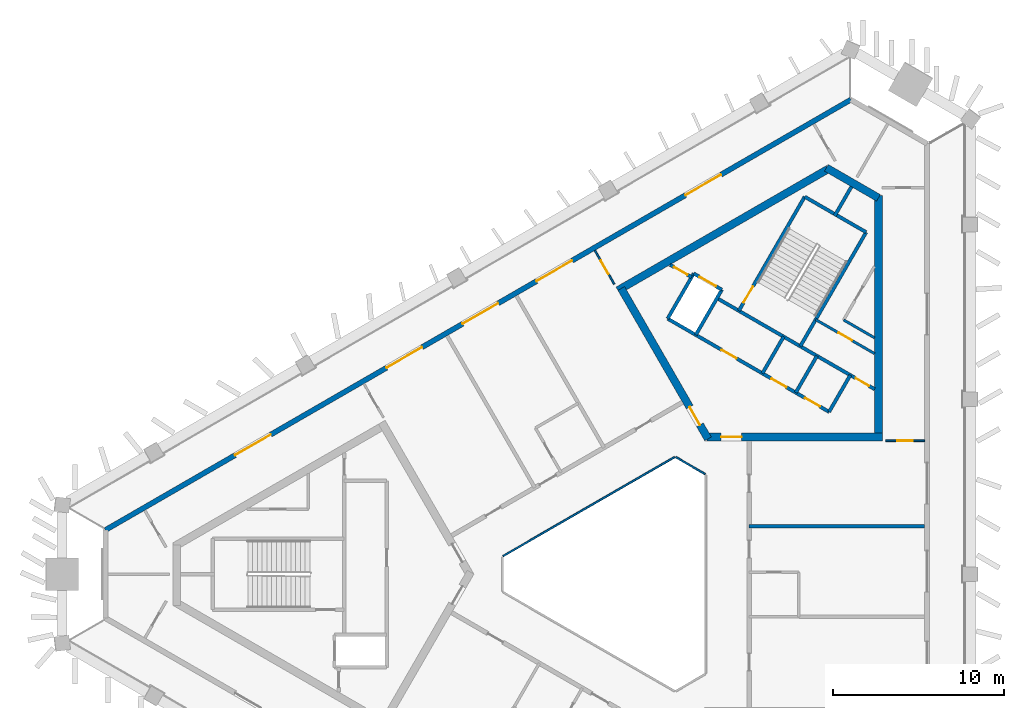
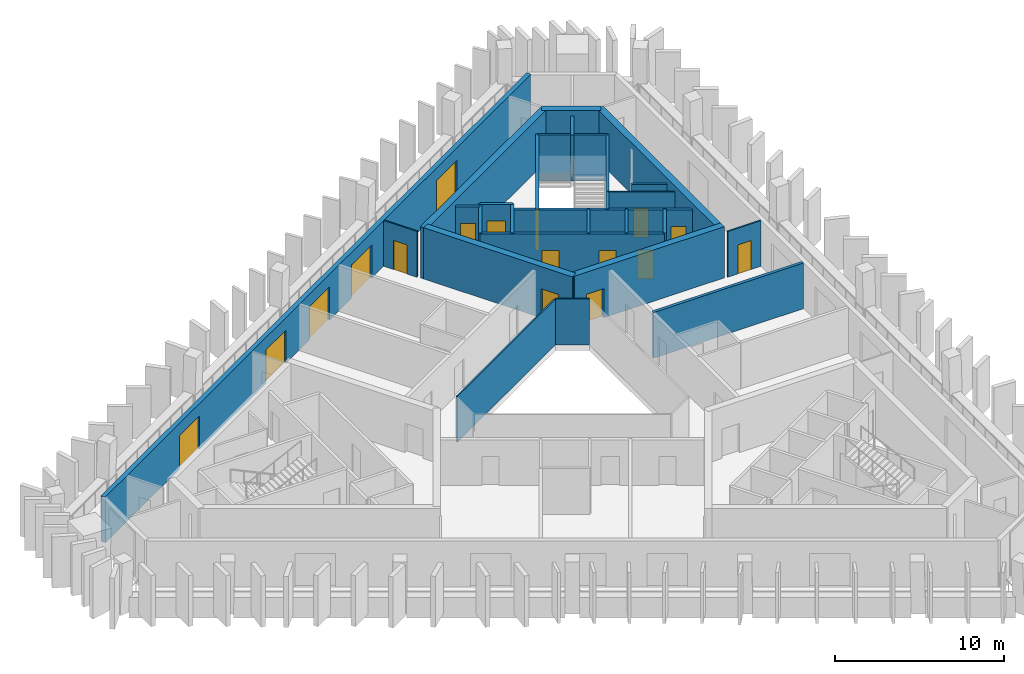
# One storey, part 5 of 9: 26 walls, 17 doors, 17 openings.
"""IFC4 building model written with IfcOpenShell, lengths in metres."""

from ifc_helpers import new_model, si_unit, direction, frame, frame_2d, origin, place, context, subcontext, project, spatial, rectangle, extrude, material, layer, layer_set, type_object, element, fill, save


model = new_model("IFC4")

# Units and contexts
model_context = context("Model", 3, precision=1e-05, world=origin(), true_north=direction((0.0, 1.0)))
body_context = subcontext(model_context, "Body", "Model", "MODEL_VIEW")
ifc_project = project(units=[si_unit("LENGTHUNIT", "METRE"), si_unit("AREAUNIT", "SQUARE_METRE"), si_unit("VOLUMEUNIT", "CUBIC_METRE"), si_unit("PLANEANGLEUNIT", "RADIAN"), si_unit("MASSUNIT", "GRAM", prefix="KILO")], contexts=[model_context])

# Site, building, storey
site_placement = place(None, origin())
site = spatial("IfcSite", under=ifc_project, at=site_placement, CompositionType="ELEMENT")
building_placement = place(site_placement, origin())
building = spatial("IfcBuilding", under=site, at=building_placement, Name="Jabali Bay Hotel Tower and Convention Centre", CompositionType="ELEMENT")
storey_placement = place(building_placement, frame((0.0, 0.0, 228.0)))
storey = spatial("IfcBuildingStorey", under=building, at=storey_placement, Name="L56", CompositionType="ELEMENT", Elevation=228.0)

# Walls
ifc_material_1 = material(Name="Fire-resistant glazing", Category="glass")
ifc_layer_1 = layer(ifc_material_1, 0.10009765625)
ifc_layer_set_1 = layer_set([ifc_layer_1], Name="Fire-resistant glazing")
wall_type_1 = type_object("IfcWallType", Name="Atrium glazed screen 100", PredefinedType="PARTITIONING", material=ifc_layer_set_1)
wall_1_placement = place(storey_placement, frame((79.530029296875, 85.84619140625, 0.0), z_axis=(0.0, 0.0, 1.0), x_axis=(-0.866041268327, 0.499972520799, 0.0)))
element("IfcWall", 1, at=wall_1_placement, inside=storey, type_object=wall_type_1, Name="Atrium screen 2 L56", PredefinedType="PARTITIONING", context=body_context, shape_type="SweptSolid", body=[
    extrude(rectangle(XDim=2.0, YDim=0.10009765625, at=frame_2d((1.0, 0.0))), origin(), (0.0, 0.0, 1.0), 3.300048828125),
])
wall_2_placement = place(storey_placement, frame((77.738037109375, 86.84619140625, 0.0), z_axis=(0.0, 0.0, 1.0), x_axis=(-0.866026658274, -0.499997827154, 0.0)))
element("IfcWall", 2, at=wall_2_placement, inside=storey, type_object=wall_type_1, Name="Atrium screen 3 L56", PredefinedType="PARTITIONING", context=body_context, shape_type="SweptSolid", body=[
    extrude(rectangle(XDim=11.58837890625, YDim=0.10009765625, at=frame_2d((5.794189453125, 0.0))), origin(), (0.0, 0.0, 1.0), 3.300048828125),
])
ifc_material_2 = material(Name="Concrete C40", Category="concrete")
ifc_layer_2 = layer(ifc_material_2, 0.199951171875)
ifc_layer_set_2 = layer_set([ifc_layer_2], Name="Concrete C40")
wall_type_2 = type_object("IfcWallType", Name="Core partition wall 200", PredefinedType="PARTITIONING", material=ifc_layer_set_2)
wall_3_placement = place(storey_placement, frame((87.090087890625, 100.9404296875, 0.0), z_axis=(0.0, 0.0, 1.0), x_axis=(0.500011643316, 0.866018681408, 0.0)))
element("IfcWall", 3, at=wall_3_placement, inside=storey, type_object=wall_type_2, Name="Core wall 1.5 L56", PredefinedType="PARTITIONING", context=body_context, shape_type="SweptSolid", body=[
    extrude(rectangle(XDim=1.97314453125, YDim=0.199951171875, at=frame_2d((0.986572265625, 0.0))), origin(), (0.0, 0.0, 1.0), 3.300048828125),
])

# Wall, opening, door
wall_4_placement = place(storey_placement, frame((78.730224609375, 97.36083984375, 0.0), z_axis=(0.0, 0.0, 1.0), x_axis=(-0.866045896294, 0.499964504253, 0.0)))
wall_4 = element("IfcWall", 4, at=wall_4_placement, inside=storey, type_object=wall_type_2, Name="Core wall 1.11 L56", PredefinedType="PARTITIONING", context=body_context, shape_type="SweptSolid", body=[
    extrude(rectangle(XDim=1.455078125, YDim=0.199951171875, at=frame_2d((0.7275390625, 0.0))), origin(), (0.0, 0.0, 1.0), 3.300048828125),
])
opening_1_placement = place(wall_4_placement, frame((0.277587890625, 0.0, 0.0)))
opening_1 = element("IfcOpeningElement", 5, at=opening_1_placement, cuts=wall_4, Name="Opening D1223", PredefinedType="OPENING", context=body_context, shape_type="SweptSolid", body=[
    extrude(rectangle(XDim=0.89990234375, YDim=2.10009765625, at=frame_2d((0.449951171875, 1.050048828125))), frame((0.0, 0.1103515625, 0.0), z_axis=(0.0, -1.0, 0.0), x_axis=(1.0, 0.0, 0.0)), (0.0, 0.0, 1.0), 0.220947265625),
])
ifc_material_3 = material(Name="Fire-rated steel door", Category="steel")
door_type_1 = type_object("IfcDoorType", Name="Vestibule fire door 900 x 2100", OperationType="NOTDEFINED", PredefinedType="NOTDEFINED", material=ifc_material_3)
door_1_placement = place(opening_1_placement, origin())
door_1 = element("IfcDoor", 6, at=door_1_placement, inside=storey, type_object=door_type_1, Name="Vestibule fire door D1223", OperationType="SINGLE_SWING_LEFT", OverallHeight=2.10009765625, OverallWidth=0.89990234375, PredefinedType="NOTDEFINED", context=body_context, shape_type="SweptSolid", body=[
    extrude(rectangle(XDim=0.89990234375, YDim=2.10009765625, at=frame_2d((0.449951171875, 1.050048828125))), frame((0.0, 0.02490234375, 0.0), z_axis=(0.0, -1.0, 0.0), x_axis=(1.0, 0.0, 0.0)), (0.0, 0.0, 1.0), 0.050048828125),
])
fill(opening_1, door_1)

ifc_material_4 = material(Name="Fire-rated board partition")
ifc_layer_3 = layer(ifc_material_4, 0.14990234375)
ifc_layer_set_3 = layer_set([ifc_layer_3], Name="Fire-rated board partition")
wall_type_3 = type_object("IfcWallType", Name="Core room partition 150", PredefinedType="PARTITIONING", material=ifc_layer_set_3)
wall_5_placement = place(storey_placement, frame((89.429931640625, 92.892333984375, 0.0), z_axis=(0.0, 0.0, 1.0), x_axis=(-0.866019912421, 0.500009511199, 0.0)))
wall_5 = element("IfcWall", 7, at=wall_5_placement, inside=storey, type_object=wall_type_3, Name="Core wall 1.13 L56", PredefinedType="PARTITIONING", context=body_context, shape_type="SweptSolid", body=[
    extrude(rectangle(XDim=3.9755859375, YDim=0.14990234375, at=frame_2d((1.98779296875, 0.0))), origin(), (0.0, 0.0, 1.0), 3.300048828125),
])
opening_2_placement = place(wall_5_placement, frame((1.537841796875, 0.0, 0.0)))
opening_2 = element("IfcOpeningElement", 8, at=opening_2_placement, cuts=wall_5, Name="Opening D1222", PredefinedType="OPENING", context=body_context, shape_type="SweptSolid", body=[
    extrude(rectangle(XDim=0.89990234375, YDim=2.10009765625, at=frame_2d((0.449951171875, 1.050048828125))), frame((0.0, 0.08544921875, 0.0), z_axis=(0.0, -1.0, 0.0), x_axis=(1.0, 0.0, 0.0)), (0.0, 0.0, 1.0), 0.1708984375),
])
door_type_2 = type_object("IfcDoorType", Name="Core room door 900 x 2100", OperationType="NOTDEFINED", PredefinedType="NOTDEFINED", material=ifc_material_3)
door_2_placement = place(opening_2_placement, origin())
door_2 = element("IfcDoor", 9, at=door_2_placement, inside=storey, type_object=door_type_2, Name="Core room door D1222", OperationType="SINGLE_SWING_RIGHT", OverallHeight=2.10009765625, OverallWidth=0.89990234375, PredefinedType="NOTDEFINED", context=body_context, shape_type="SweptSolid", body=[
    extrude(rectangle(XDim=0.89990234375, YDim=2.10009765625, at=frame_2d((0.449951171875, 1.050048828125))), frame((0.0, 0.02490234375, 0.0), z_axis=(0.0, -1.0, 0.0), x_axis=(1.0, 0.0, 0.0)), (0.0, 0.0, 1.0), 0.050048828125),
])
fill(opening_2, door_2)

# Walls
wall_6_placement = place(storey_placement, frame((89.429931640625, 93.81591796875, 0.0), z_axis=(0.0, 0.0, 1.0), x_axis=(-0.866004557827, 0.500036104519, 0.0)))
element("IfcWall", 10, at=wall_6_placement, inside=storey, type_object=wall_type_3, Name="Core wall 1.14 L56", PredefinedType="PARTITIONING", context=body_context, shape_type="SweptSolid", body=[
    extrude(rectangle(XDim=2.088623046875, YDim=0.14990234375, at=frame_2d((1.04443359375, 0.0))), origin(), (0.0, 0.0, 1.0), 3.300048828125),
])
ifc_layer_4 = layer(ifc_material_2, 0.199951171875)
ifc_layer_set_4 = layer_set([ifc_layer_4], Name="Concrete C40")
wall_type_4 = type_object("IfcWallType", Name="Core stair wall 200", PredefinedType="SOLIDWALL", material=ifc_layer_set_4)
for number, where, z_axis, x_axis, name in (
    (11, (86.769775390625, 89.48583984375, 0.0), (0.0, 0.0, 1.0), (0.499961042966, 0.86604789447, 0.0), "Core wall 1.0 L56"),
    (12, (84.8212890625, 90.61083984375, 0.0), (0.0, 0.0, 1.0), (0.499961042966, 0.86604789447, 0.0), "Core wall 1.2 L56"),
):
    element("IfcWall", number, at=place(storey_placement, frame(where, z_axis=z_axis, x_axis=x_axis)), inside=storey, type_object=wall_type_4, Name=name, PredefinedType="SOLIDWALL", context=body_context, shape_type="SweptSolid", body=[
        extrude(rectangle(XDim=2.480224609375, YDim=0.199951171875, at=frame_2d((1.240234375, 0.0))), origin(), (0.0, 0.0, 1.0), 3.300048828125),
    ])
wall_7_placement = place(storey_placement, frame((85.0869140625, 93.3212890625, 0.0), z_axis=(0.0, 0.0, 1.0), x_axis=(0.500019787375, 0.866013979237, 0.0)))
element("IfcWall", 13, at=wall_7_placement, inside=storey, type_object=wall_type_4, Name="Core wall 1.3 L56", PredefinedType="SOLIDWALL", context=body_context, shape_type="SweptSolid", body=[
    extrude(rectangle(XDim=7.699951171875, YDim=0.199951171875, at=frame_2d((3.85009765625, 0.0))), origin(), (0.0, 0.0, 1.0), 3.300048828125),
])
wall_8_placement = place(storey_placement, frame((82.872802734375, 91.73583984375, 0.0), z_axis=(0.0, 0.0, 1.0), x_axis=(0.499961042966, 0.86604789447, 0.0)))
element("IfcWall", 14, at=wall_8_placement, inside=storey, type_object=wall_type_4, Name="Core wall 1.4 L56", PredefinedType="SOLIDWALL", context=body_context, shape_type="SweptSolid", body=[
    extrude(rectangle(XDim=2.480224609375, YDim=0.199951171875, at=frame_2d((1.240234375, 0.0))), origin(), (0.0, 0.0, 1.0), 3.300048828125),
])

# Wall, opening, door
wall_9_placement = place(storey_placement, frame((81.492919921875, 95.396240234375, 0.0), z_axis=(0.0, 0.0, 1.0), x_axis=(0.500006057782, 0.866021906294, 0.0)))
wall_9 = element("IfcWall", 15, at=wall_9_placement, inside=storey, type_object=wall_type_4, Name="Core wall 1.6 L56", PredefinedType="SOLIDWALL", context=body_context, shape_type="SweptSolid", body=[
    extrude(rectangle(XDim=7.7001953125, YDim=0.199951171875, at=frame_2d((3.85009765625, 0.0))), origin(), (0.0, 0.0, 1.0), 3.300048828125),
])
opening_3_placement = place(wall_9_placement, frame((0.550048828125, 0.0, 0.0)))
opening_3 = element("IfcOpeningElement", 16, at=opening_3_placement, cuts=wall_9, Name="Opening D1225", PredefinedType="OPENING", context=body_context, shape_type="SweptSolid", body=[
    extrude(rectangle(XDim=1.10009765625, YDim=2.10009765625, at=frame_2d((0.550048828125, 1.050048828125))), frame((0.0, 0.1103515625, 0.0), z_axis=(0.0, -1.0, 0.0), x_axis=(1.0, 0.0, 0.0)), (0.0, 0.0, 1.0), 0.220947265625),
])
door_type_3 = type_object("IfcDoorType", Name="Stair fire door 1100 x 2100", OperationType="NOTDEFINED", PredefinedType="NOTDEFINED", material=ifc_material_3)
door_3_placement = place(opening_3_placement, origin())
door_3 = element("IfcDoor", 17, at=door_3_placement, inside=storey, type_object=door_type_3, Name="Stair fire door D1225", OperationType="SINGLE_SWING_RIGHT", OverallHeight=2.10009765625, OverallWidth=1.10009765625, PredefinedType="NOTDEFINED", context=body_context, shape_type="SweptSolid", body=[
    extrude(rectangle(XDim=1.10009765625, YDim=2.10009765625, at=frame_2d((0.550048828125, 1.050048828125))), frame((0.0, 0.02490234375, 0.0), z_axis=(0.0, -1.0, 0.0), x_axis=(1.0, 0.0, 0.0)), (0.0, 0.0, 1.0), 0.050048828125),
])
fill(opening_3, door_3)

# Walls
for number, where, z_axis, x_axis, name in (
    (18, (78.9755859375, 93.98583984375, 0.0), (0.0, 0.0, 1.0), (0.499944174705, 0.866057632134, 0.0), "Core wall 1.7 L56"),
    (19, (77.330078125, 94.93603515625, 0.0), (0.0, 0.0, 1.0), (0.500038867431, 0.8660029625, 0.0), "Core wall 1.8 L56"),
):
    element("IfcWall", number, at=place(storey_placement, frame(where, z_axis=z_axis, x_axis=x_axis)), inside=storey, type_object=wall_type_4, Name=name, PredefinedType="SOLIDWALL", context=body_context, shape_type="SweptSolid", body=[
        extrude(rectangle(XDim=3.050048828125, YDim=0.199951171875, at=frame_2d((1.52490234375, 0.0))), origin(), (0.0, 0.0, 1.0), 3.300048828125),
    ])

# Wall, openings, doors
wall_10_placement = place(storey_placement, frame((86.769775390625, 89.48583984375, 0.0), z_axis=(0.0, 0.0, 1.0), x_axis=(-0.86601811187, 0.500012629753, 0.0)))
wall_10 = element("IfcWall", 20, at=wall_10_placement, inside=storey, type_object=wall_type_4, Name="Core wall 1.9 L56", PredefinedType="SOLIDWALL", context=body_context, shape_type="SweptSolid", body=[
    extrude(rectangle(XDim=10.900146484375, YDim=0.199951171875, at=frame_2d((5.4501953125, 0.0))), origin(), (0.0, 0.0, 1.0), 3.300048828125),
])
opening_4_placement = place(wall_10_placement, frame((0.625, 0.0, 0.0)))
opening_4 = element("IfcOpeningElement", 21, at=opening_4_placement, cuts=wall_10, Name="Opening D1219", PredefinedType="OPENING", context=body_context, shape_type="SweptSolid", body=[
    extrude(rectangle(XDim=1.0, YDim=2.10009765625, at=frame_2d((0.5, 1.050048828125))), frame((0.0, 0.1103515625, 0.0), z_axis=(0.0, -1.0, 0.0), x_axis=(1.0, 0.0, 0.0)), (0.0, 0.0, 1.0), 0.220947265625),
])
opening_5_placement = place(wall_10_placement, frame((2.875, 0.0, 0.0)))
opening_5 = element("IfcOpeningElement", 22, at=opening_5_placement, cuts=wall_10, Name="Opening D1220", PredefinedType="OPENING", context=body_context, shape_type="SweptSolid", body=[
    extrude(rectangle(XDim=1.0, YDim=2.10009765625, at=frame_2d((0.5, 1.050048828125))), frame((0.0, 0.1103515625, 0.0), z_axis=(0.0, -1.0, 0.0), x_axis=(1.0, 0.0, 0.0)), (0.0, 0.0, 1.0), 0.220947265625),
])
opening_6_placement = place(wall_10_placement, frame((6.25, 0.0, 0.0)))
opening_6 = element("IfcOpeningElement", 23, at=opening_6_placement, cuts=wall_10, Name="Opening D1221", PredefinedType="OPENING", context=body_context, shape_type="SweptSolid", body=[
    extrude(rectangle(XDim=1.0, YDim=2.10009765625, at=frame_2d((0.5, 1.050048828125))), frame((0.0, 0.1103515625, 0.0), z_axis=(0.0, -1.0, 0.0), x_axis=(1.0, 0.0, 0.0)), (0.0, 0.0, 1.0), 0.220947265625),
])
door_type_4 = type_object("IfcDoorType", Name="Core room door 1000 x 2100", OperationType="NOTDEFINED", PredefinedType="NOTDEFINED", material=ifc_material_3)
door_4_placement = place(opening_4_placement, origin())
door_4 = element("IfcDoor", 24, at=door_4_placement, inside=storey, type_object=door_type_4, Name="Core room door D1219", OperationType="SINGLE_SWING_RIGHT", OverallHeight=2.10009765625, OverallWidth=1.0, PredefinedType="NOTDEFINED", context=body_context, shape_type="SweptSolid", body=[
    extrude(rectangle(XDim=1.0, YDim=2.10009765625, at=frame_2d((0.5, 1.050048828125))), frame((0.0, 0.02490234375, 0.0), z_axis=(0.0, -1.0, 0.0), x_axis=(1.0, 0.0, 0.0)), (0.0, 0.0, 1.0), 0.050048828125),
])
fill(opening_4, door_4)
door_5_placement = place(opening_5_placement, origin())
door_5 = element("IfcDoor", 25, at=door_5_placement, inside=storey, type_object=door_type_4, Name="Core room door D1220", OperationType="SINGLE_SWING_RIGHT", OverallHeight=2.10009765625, OverallWidth=1.0, PredefinedType="NOTDEFINED", context=body_context, shape_type="SweptSolid", body=[
    extrude(rectangle(XDim=1.0, YDim=2.10009765625, at=frame_2d((0.5, 1.050048828125))), frame((0.0, 0.02490234375, 0.0), z_axis=(0.0, -1.0, 0.0), x_axis=(1.0, 0.0, 0.0)), (0.0, 0.0, 1.0), 0.050048828125),
])
fill(opening_5, door_5)
door_6_placement = place(opening_6_placement, origin())
door_6 = element("IfcDoor", 26, at=door_6_placement, inside=storey, type_object=door_type_4, Name="Core room door D1221", OperationType="SINGLE_SWING_RIGHT", OverallHeight=2.10009765625, OverallWidth=1.0, PredefinedType="NOTDEFINED", context=body_context, shape_type="SweptSolid", body=[
    extrude(rectangle(XDim=1.0, YDim=2.10009765625, at=frame_2d((0.5, 1.050048828125))), frame((0.0, 0.02490234375, 0.0), z_axis=(0.0, -1.0, 0.0), x_axis=(1.0, 0.0, 0.0)), (0.0, 0.0, 1.0), 0.050048828125),
])
fill(opening_6, door_6)

# Wall, opening, door
wall_11_placement = place(storey_placement, frame((89.429931640625, 90.813720703125, 0.0), z_axis=(0.0, 0.0, 1.0), x_axis=(-0.866018983788, 0.500011119594, 0.0)))
wall_11 = element("IfcWall", 27, at=wall_11_placement, inside=storey, type_object=wall_type_4, Name="Core wall 1.10 L56", PredefinedType="SOLIDWALL", context=body_context, shape_type="SweptSolid", body=[
    extrude(rectangle(XDim=10.639892578125, YDim=0.199951171875, at=frame_2d((5.31982421875, 0.0))), origin(), (0.0, 0.0, 1.0), 3.300048828125),
])
opening_7_placement = place(wall_11_placement, frame((0.369873046875, 0.0, 0.0)))
opening_7 = element("IfcOpeningElement", 28, at=opening_7_placement, cuts=wall_11, Name="Opening D1224", PredefinedType="OPENING", context=body_context, shape_type="SweptSolid", body=[
    extrude(rectangle(XDim=0.89990234375, YDim=2.10009765625, at=frame_2d((0.449951171875, 1.050048828125))), frame((0.0, 0.1103515625, 0.0), z_axis=(0.0, -1.0, 0.0), x_axis=(1.0, 0.0, 0.0)), (0.0, 0.0, 1.0), 0.220947265625),
])
door_7_placement = place(opening_7_placement, origin())
door_7 = element("IfcDoor", 29, at=door_7_placement, inside=storey, type_object=door_type_1, Name="Vestibule fire door D1224", OperationType="SINGLE_SWING_LEFT", OverallHeight=2.10009765625, OverallWidth=0.89990234375, PredefinedType="NOTDEFINED", context=body_context, shape_type="SweptSolid", body=[
    extrude(rectangle(XDim=0.89990234375, YDim=2.10009765625, at=frame_2d((0.449951171875, 1.050048828125))), frame((0.0, 0.02490234375, 0.0), z_axis=(0.0, -1.0, 0.0), x_axis=(1.0, 0.0, 0.0)), (0.0, 0.0, 1.0), 0.050048828125),
])
fill(opening_7, door_7)

wall_12_placement = place(storey_placement, frame((80.50048828125, 96.62744140625, 0.0), z_axis=(0.0, 0.0, 1.0), x_axis=(-0.86601224135, 0.500022797313, 0.0)))
wall_12 = element("IfcWall", 30, at=wall_12_placement, inside=storey, type_object=wall_type_4, Name="Core wall 1.12 L56", PredefinedType="SOLIDWALL", context=body_context, shape_type="SweptSolid", body=[
    extrude(rectangle(XDim=1.89990234375, YDim=0.199951171875, at=frame_2d((0.949951171875, 0.0))), origin(), (0.0, 0.0, 1.0), 3.300048828125),
])
opening_8_placement = place(wall_12_placement, frame((0.39990234375, 0.0, 0.0)))
opening_8 = element("IfcOpeningElement", 31, at=opening_8_placement, cuts=wall_12, Name="Opening LD10-L56", PredefinedType="OPENING", context=body_context, shape_type="SweptSolid", body=[
    extrude(rectangle(XDim=1.10009765625, YDim=2.10009765625, at=frame_2d((0.550048828125, 1.050048828125))), frame((0.0, 0.1103515625, 0.0), z_axis=(0.0, -1.0, 0.0), x_axis=(1.0, 0.0, 0.0)), (0.0, 0.0, 1.0), 0.220947265625),
])
ifc_material_5 = material(Name="Stainless steel landing door", Category="steel")
door_type_5 = type_object("IfcDoorType", Name="Landing door 1100 x 2100", OperationType="NOTDEFINED", PredefinedType="NOTDEFINED", material=ifc_material_5)
door_8_placement = place(opening_8_placement, origin())
door_8 = element("IfcDoor", 32, at=door_8_placement, inside=storey, type_object=door_type_5, Name="Landing doors LD10-L56", OperationType="SLIDING_TO_RIGHT", OverallHeight=2.10009765625, OverallWidth=1.10009765625, PredefinedType="NOTDEFINED", context=body_context, shape_type="SweptSolid", body=[
    extrude(rectangle(XDim=1.10009765625, YDim=2.10009765625, at=frame_2d((0.550048828125, 1.050048828125))), frame((0.0, 0.02490234375, 0.0), z_axis=(0.0, -1.0, 0.0), x_axis=(1.0, 0.0, 0.0)), (0.0, 0.0, 1.0), 0.050048828125),
])
fill(opening_8, door_8)

# Wall
wall_13_placement = place(storey_placement, frame((88.93701171875, 99.989501953125, 0.0), z_axis=(0.0, 0.0, 1.0), x_axis=(-0.866004344652, 0.500036473714, 0.0)))
element("IfcWall", 33, at=wall_13_placement, inside=storey, type_object=wall_type_4, Name="Core wall 1.15 L56", PredefinedType="SOLIDWALL", context=body_context, shape_type="SweptSolid", body=[
    extrude(rectangle(XDim=4.150146484375, YDim=0.199951171875, at=frame_2d((2.0751953125, 0.0))), origin(), (0.0, 0.0, 1.0), 3.300048828125),
])

# Wall, opening, door
ifc_material_6 = material(Name="Concrete C60", Category="concrete")
ifc_layer_5 = layer(ifc_material_6, 0.449951171875)
ifc_layer_set_5 = layer_set([ifc_layer_5], Name="Concrete C60")
wall_type_5 = type_object("IfcWallType", Name="Core wall 450", PredefinedType="SHEAR", material=ifc_layer_set_5)
wall_14_placement = place(storey_placement, frame((79.6298828125, 88.019287109375, 0.0), z_axis=(0.0, 0.0, 1.0), x_axis=(1.0, 0.0, 0.0)))
wall_14 = element("IfcWall", 34, at=wall_14_placement, inside=storey, type_object=wall_type_5, Name="Core wall 2.1 L56", PredefinedType="SHEAR", context=body_context, shape_type="SweptSolid", body=[
    extrude(rectangle(XDim=10.25, YDim=0.449951171875, at=frame_2d((5.125, 0.0))), origin(), (0.0, 0.0, 1.0), 3.699951171875),
])
opening_9_placement = place(wall_14_placement, frame((0.820068359375, 0.0, 0.0)))
opening_9 = element("IfcOpeningElement", 35, at=opening_9_placement, cuts=wall_14, Name="Opening D1217", PredefinedType="OPENING", context=body_context, shape_type="SweptSolid", body=[
    extrude(rectangle(XDim=1.199951171875, YDim=2.10009765625, at=frame_2d((0.60009765625, 1.050048828125))), frame((0.0, 0.2353515625, 0.0), z_axis=(0.0, -1.0, 0.0), x_axis=(1.0, 0.0, 0.0)), (0.0, 0.0, 1.0), 0.470947265625),
])
door_type_6 = type_object("IfcDoorType", Name="Corridor end fire door 1200 x 2100", OperationType="NOTDEFINED", PredefinedType="NOTDEFINED", material=ifc_material_3)
door_9_placement = place(opening_9_placement, origin())
door_9 = element("IfcDoor", 36, at=door_9_placement, inside=storey, type_object=door_type_6, Name="Corridor end fire door D1217", OperationType="SINGLE_SWING_RIGHT", OverallHeight=2.10009765625, OverallWidth=1.199951171875, PredefinedType="NOTDEFINED", context=body_context, shape_type="SweptSolid", body=[
    extrude(rectangle(XDim=1.199951171875, YDim=2.10009765625, at=frame_2d((0.60009765625, 1.050048828125))), frame((0.0, 0.02490234375, 0.0), z_axis=(0.0, -1.0, 0.0), x_axis=(1.0, 0.0, 0.0)), (0.0, 0.0, 1.0), 0.050048828125),
])
fill(opening_9, door_9)

# Walls
wall_15_placement = place(storey_placement, frame((89.655029296875, 88.019287109375, 0.0), z_axis=(0.0, 0.0, 1.0), x_axis=(0.0, 1.0, 0.0)))
element("IfcWall", 37, at=wall_15_placement, inside=storey, type_object=wall_type_5, Name="Core wall 2.2 L56", PredefinedType="SHEAR", context=body_context, shape_type="SweptSolid", body=[
    extrude(rectangle(XDim=14.1083984375, YDim=0.449951171875, at=frame_2d((7.05419921875, 0.0))), origin(), (0.0, 0.0, 1.0), 3.699951171875),
])
wall_16_placement = place(storey_placement, frame((89.655029296875, 101.997802734375, 0.0), z_axis=(0.0, 0.0, 1.0), x_axis=(-0.866042179588, 0.49997094233, 0.0)))
element("IfcWall", 38, at=wall_16_placement, inside=storey, type_object=wall_type_5, Name="Core wall 2.3 L56", PredefinedType="SHEAR", context=body_context, shape_type="SweptSolid", body=[
    extrude(rectangle(XDim=3.515380859375, YDim=0.449951171875, at=frame_2d((1.7578125, 0.0))), origin(), (0.0, 0.0, 1.0), 3.699951171875),
])
wall_17_placement = place(storey_placement, frame((86.72314453125, 103.6904296875, 0.0), z_axis=(0.0, 0.0, 1.0), x_axis=(-0.866022713978, -0.500004658852, 0.0)))
element("IfcWall", 39, at=wall_17_placement, inside=storey, type_object=wall_type_5, Name="Core wall 2.4 L56", PredefinedType="SHEAR", context=body_context, shape_type="SweptSolid", body=[
    extrude(rectangle(XDim=14.203369140625, YDim=0.449951171875, at=frame_2d((7.1015625, 0.0))), origin(), (0.0, 0.0, 1.0), 3.699951171875),
])

# Wall, opening, door
wall_18_placement = place(storey_placement, frame((74.617431640625, 96.701171875, 0.0), z_axis=(0.0, 0.0, 1.0), x_axis=(0.499994385119, -0.866028645513, 0.0)))
wall_18 = element("IfcWall", 40, at=wall_18_placement, inside=storey, type_object=wall_type_5, Name="Core wall 2.5 L56", PredefinedType="SHEAR", context=body_context, shape_type="SweptSolid", body=[
    extrude(rectangle(XDim=10.15478515625, YDim=0.449951171875, at=frame_2d((5.077392578125, 0.0))), origin(), (0.0, 0.0, 1.0), 3.699951171875),
])
opening_10_placement = place(wall_18_placement, frame((8.0048828125, 0.0, 0.0)))
opening_10 = element("IfcOpeningElement", 41, at=opening_10_placement, cuts=wall_18, Name="Opening D1218", PredefinedType="OPENING", context=body_context, shape_type="SweptSolid", body=[
    extrude(rectangle(XDim=1.199951171875, YDim=2.10009765625, at=frame_2d((0.60009765625, 1.050048828125))), frame((0.0, 0.2353515625, 0.0), z_axis=(0.0, -1.0, 0.0), x_axis=(1.0, 0.0, 0.0)), (0.0, 0.0, 1.0), 0.470947265625),
])
door_10_placement = place(opening_10_placement, origin())
door_10 = element("IfcDoor", 42, at=door_10_placement, inside=storey, type_object=door_type_6, Name="Corridor end fire door D1218", OperationType="SINGLE_SWING_LEFT", OverallHeight=2.10009765625, OverallWidth=1.199951171875, PredefinedType="NOTDEFINED", context=body_context, shape_type="SweptSolid", body=[
    extrude(rectangle(XDim=1.199951171875, YDim=2.10009765625, at=frame_2d((0.60009765625, 1.050048828125))), frame((0.0, 0.02490234375, 0.0), z_axis=(0.0, -1.0, 0.0), x_axis=(1.0, 0.0, 0.0)), (0.0, 0.0, 1.0), 0.050048828125),
])
fill(opening_10, door_10)

# Wall, openings, doors
ifc_layer_6 = layer(ifc_material_2, 0.300048828125)
ifc_layer_set_6 = layer_set([ifc_layer_6], Name="Concrete C40")
wall_type_6 = type_object("IfcWallType", Name="External wall 300", PredefinedType="SOLIDWALL", material=ifc_layer_set_6)
wall_19_placement = place(storey_placement, frame((44.4541015625, 82.574462890625, 0.0), z_axis=(0.0, 0.0, 1.0), x_axis=(0.86602387423, 0.500002649256, 0.0)))
wall_19 = element("IfcWall", 43, at=wall_19_placement, inside=storey, type_object=wall_type_6, Name="External wall north-west face L56", PredefinedType="SOLIDWALL", context=body_context, shape_type="SweptSolid", body=[
    extrude(rectangle(XDim=50.332763671875, YDim=0.300048828125, at=frame_2d((25.16650390625, 0.0))), origin(), (0.0, 0.0, 1.0), 3.300048828125),
])
opening_11_placement = place(wall_19_placement, frame((24.122314453125, 0.0, 0.0)))
opening_11 = element("IfcOpeningElement", 44, at=opening_11_placement, cuts=wall_19, Name="Opening SD1", PredefinedType="OPENING", context=body_context, shape_type="SweptSolid", body=[
    extrude(rectangle(XDim=2.39990234375, YDim=2.39990234375, at=frame_2d((1.199951171875, 1.199951171875))), frame((0.0, 0.16064453125, 0.0), z_axis=(0.0, -1.0, 0.0), x_axis=(1.0, 0.0, 0.0)), (0.0, 0.0, 1.0), 0.321044921875),
])
opening_12_placement = place(wall_19_placement, frame((29.110595703125, 0.0, 0.0)))
opening_12 = element("IfcOpeningElement", 45, at=opening_12_placement, cuts=wall_19, Name="Opening SD1", PredefinedType="OPENING", context=body_context, shape_type="SweptSolid", body=[
    extrude(rectangle(XDim=2.39990234375, YDim=2.39990234375, at=frame_2d((1.199951171875, 1.199951171875))), frame((0.0, 0.16064453125, 0.0), z_axis=(0.0, -1.0, 0.0), x_axis=(1.0, 0.0, 0.0)), (0.0, 0.0, 1.0), 0.321044921875),
])
opening_13_placement = place(wall_19_placement, frame((39.164306640625, 0.0, 0.0)))
opening_13 = element("IfcOpeningElement", 46, at=opening_13_placement, cuts=wall_19, Name="Opening SD1", PredefinedType="OPENING", context=body_context, shape_type="SweptSolid", body=[
    extrude(rectangle(XDim=2.39990234375, YDim=2.39990234375, at=frame_2d((1.199951171875, 1.199951171875))), frame((0.0, 0.16064453125, 0.0), z_axis=(0.0, -1.0, 0.0), x_axis=(1.0, 0.0, 0.0)), (0.0, 0.0, 1.0), 0.321044921875),
])
opening_14_placement = place(wall_19_placement, frame((18.97802734375, 0.0, 0.0)))
opening_14 = element("IfcOpeningElement", 47, at=opening_14_placement, cuts=wall_19, Name="Opening SD1", PredefinedType="OPENING", context=body_context, shape_type="SweptSolid", body=[
    extrude(rectangle(XDim=2.39990234375, YDim=2.39990234375, at=frame_2d((1.199951171875, 1.199951171875))), frame((0.0, 0.16064453125, 0.0), z_axis=(0.0, -1.0, 0.0), x_axis=(1.0, 0.0, 0.0)), (0.0, 0.0, 1.0), 0.321044921875),
])
opening_15_placement = place(wall_19_placement, frame((8.76318359375, 0.0, 0.0)))
opening_15 = element("IfcOpeningElement", 48, at=opening_15_placement, cuts=wall_19, Name="Opening SD1", PredefinedType="OPENING", context=body_context, shape_type="SweptSolid", body=[
    extrude(rectangle(XDim=2.39990234375, YDim=2.39990234375, at=frame_2d((1.199951171875, 1.199951171875))), frame((0.0, 0.16064453125, 0.0), z_axis=(0.0, -1.0, 0.0), x_axis=(1.0, 0.0, 0.0)), (0.0, 0.0, 1.0), 0.321044921875),
])
ifc_material_7 = material(Name="Glass", Category="glass")
door_type_7 = type_object("IfcDoorType", Name="Loggia sliding door 2400 x 2400", OperationType="NOTDEFINED", PredefinedType="NOTDEFINED", material=ifc_material_7)
door_11_placement = place(opening_11_placement, origin())
door_11 = element("IfcDoor", 49, at=door_11_placement, inside=storey, type_object=door_type_7, Name="Loggia sliding door 5605", OperationType="SLIDING_TO_LEFT", OverallHeight=2.39990234375, OverallWidth=2.39990234375, PredefinedType="NOTDEFINED", context=body_context, shape_type="SweptSolid", body=[
    extrude(rectangle(XDim=2.39990234375, YDim=2.39990234375, at=frame_2d((1.199951171875, 1.199951171875))), frame((0.0, 0.02490234375, 0.0), z_axis=(0.0, -1.0, 0.0), x_axis=(1.0, 0.0, 0.0)), (0.0, 0.0, 1.0), 0.050048828125),
])
fill(opening_11, door_11)
door_12_placement = place(opening_12_placement, origin())
door_12 = element("IfcDoor", 50, at=door_12_placement, inside=storey, type_object=door_type_7, Name="Loggia sliding door 5604", OperationType="SLIDING_TO_RIGHT", OverallHeight=2.39990234375, OverallWidth=2.39990234375, PredefinedType="NOTDEFINED", context=body_context, shape_type="SweptSolid", body=[
    extrude(rectangle(XDim=2.39990234375, YDim=2.39990234375, at=frame_2d((1.199951171875, 1.199951171875))), frame((0.0, 0.02490234375, 0.0), z_axis=(0.0, -1.0, 0.0), x_axis=(1.0, 0.0, 0.0)), (0.0, 0.0, 1.0), 0.050048828125),
])
fill(opening_12, door_12)
door_13_placement = place(opening_13_placement, origin())
door_13 = element("IfcDoor", 51, at=door_13_placement, inside=storey, type_object=door_type_7, Name="Loggia sliding door 5604", OperationType="SLIDING_TO_LEFT", OverallHeight=2.39990234375, OverallWidth=2.39990234375, PredefinedType="NOTDEFINED", context=body_context, shape_type="SweptSolid", body=[
    extrude(rectangle(XDim=2.39990234375, YDim=2.39990234375, at=frame_2d((1.199951171875, 1.199951171875))), frame((0.0, 0.02490234375, 0.0), z_axis=(0.0, -1.0, 0.0), x_axis=(1.0, 0.0, 0.0)), (0.0, 0.0, 1.0), 0.050048828125),
])
fill(opening_13, door_13)
door_14_placement = place(opening_14_placement, origin())
door_14 = element("IfcDoor", 52, at=door_14_placement, inside=storey, type_object=door_type_7, Name="Loggia sliding door 5606", OperationType="SLIDING_TO_RIGHT", OverallHeight=2.39990234375, OverallWidth=2.39990234375, PredefinedType="NOTDEFINED", context=body_context, shape_type="SweptSolid", body=[
    extrude(rectangle(XDim=2.39990234375, YDim=2.39990234375, at=frame_2d((1.199951171875, 1.199951171875))), frame((0.0, 0.02490234375, 0.0), z_axis=(0.0, -1.0, 0.0), x_axis=(1.0, 0.0, 0.0)), (0.0, 0.0, 1.0), 0.050048828125),
])
fill(opening_14, door_14)
door_15_placement = place(opening_15_placement, origin())
door_15 = element("IfcDoor", 53, at=door_15_placement, inside=storey, type_object=door_type_7, Name="Loggia sliding door 5606", OperationType="SLIDING_TO_LEFT", OverallHeight=2.39990234375, OverallWidth=2.39990234375, PredefinedType="NOTDEFINED", context=body_context, shape_type="SweptSolid", body=[
    extrude(rectangle(XDim=2.39990234375, YDim=2.39990234375, at=frame_2d((1.199951171875, 1.199951171875))), frame((0.0, 0.02490234375, 0.0), z_axis=(0.0, -1.0, 0.0), x_axis=(1.0, 0.0, 0.0)), (0.0, 0.0, 1.0), 0.050048828125),
])
fill(opening_15, door_15)

# Wall, opening, door
ifc_material_8 = material(Name="Plasterboard on steel stud", Category="steel")
ifc_layer_7 = layer(ifc_material_8, 0.10009765625)
ifc_layer_set_7 = layer_set([ifc_layer_7], Name="Plasterboard on steel stud")
wall_type_7 = type_object("IfcWallType", Name="Partition 100 unit", PredefinedType="PARTITIONING", material=ifc_layer_set_7)
wall_20_placement = place(storey_placement, frame((92.353515625, 87.794189453125, 0.0), z_axis=(0.0, 0.0, 1.0), x_axis=(-1.0, 0.0, 0.0)))
wall_20 = element("IfcWall", 54, at=wall_20_placement, inside=storey, type_object=wall_type_7, Name="Partition P02 L56 009", PredefinedType="PARTITIONING", context=body_context, shape_type="SweptSolid", body=[
    extrude(rectangle(XDim=2.2744140625, YDim=0.10009765625, at=frame_2d((1.13720703125, 0.0))), origin(), (0.0, 0.0, 1.0), 3.300048828125),
])
opening_16_placement = place(wall_20_placement, frame((0.68701171875, 0.0, 0.0)))
opening_16 = element("IfcOpeningElement", 55, at=opening_16_placement, cuts=wall_20, Name="Opening 5607", PredefinedType="OPENING", context=body_context, shape_type="SweptSolid", body=[
    extrude(rectangle(XDim=0.89990234375, YDim=2.10009765625, at=frame_2d((0.449951171875, 1.050048828125))), frame((0.0, 0.060546875, 0.0), z_axis=(0.0, -1.0, 0.0), x_axis=(1.0, 0.0, 0.0)), (0.0, 0.0, 1.0), 0.12109375),
])
ifc_material_9 = material(Name="Timber", Category="wood")
door_type_8 = type_object("IfcDoorType", Name="Internal door 900 x 2100", OperationType="NOTDEFINED", PredefinedType="NOTDEFINED", material=ifc_material_9)
door_16_placement = place(opening_16_placement, origin())
door_16 = element("IfcDoor", 56, at=door_16_placement, inside=storey, type_object=door_type_8, Name="Door 5607", OperationType="SINGLE_SWING_LEFT", OverallHeight=2.10009765625, OverallWidth=0.89990234375, PredefinedType="NOTDEFINED", context=body_context, shape_type="SweptSolid", body=[
    extrude(rectangle(XDim=0.89990234375, YDim=2.10009765625, at=frame_2d((0.449951171875, 1.050048828125))), frame((0.0, 0.02490234375, 0.0), z_axis=(0.0, -1.0, 0.0), x_axis=(1.0, 0.0, 0.0)), (0.0, 0.0, 1.0), 0.050048828125),
])
fill(opening_16, door_16)

wall_21_placement = place(storey_placement, frame((74.21044921875, 96.955810546875, 0.0), z_axis=(0.0, 0.0, 1.0), x_axis=(-0.499948534732, 0.866055115232, 0.0)))
wall_21 = element("IfcWall", 57, at=wall_21_placement, inside=storey, type_object=wall_type_7, Name="Partition P02 L56 012", PredefinedType="PARTITIONING", context=body_context, shape_type="SweptSolid", body=[
    extrude(rectangle(XDim=2.274658203125, YDim=0.10009765625, at=frame_2d((1.13720703125, 0.0))), origin(), (0.0, 0.0, 1.0), 3.300048828125),
])
opening_17_placement = place(wall_21_placement, frame((0.68701171875, 0.0, 0.0)))
opening_17 = element("IfcOpeningElement", 58, at=opening_17_placement, cuts=wall_21, Name="Opening 5610", PredefinedType="OPENING", context=body_context, shape_type="SweptSolid", body=[
    extrude(rectangle(XDim=0.89990234375, YDim=2.10009765625, at=frame_2d((0.449951171875, 1.050048828125))), frame((0.0, 0.060546875, 0.0), z_axis=(0.0, -1.0, 0.0), x_axis=(1.0, 0.0, 0.0)), (0.0, 0.0, 1.0), 0.12109375),
])
door_17_placement = place(opening_17_placement, origin())
door_17 = element("IfcDoor", 59, at=door_17_placement, inside=storey, type_object=door_type_8, Name="Door 5610", OperationType="SINGLE_SWING_LEFT", OverallHeight=2.10009765625, OverallWidth=0.89990234375, PredefinedType="NOTDEFINED", context=body_context, shape_type="SweptSolid", body=[
    extrude(rectangle(XDim=0.89990234375, YDim=2.10009765625, at=frame_2d((0.449951171875, 1.050048828125))), frame((0.0, 0.02490234375, 0.0), z_axis=(0.0, -1.0, 0.0), x_axis=(1.0, 0.0, 0.0)), (0.0, 0.0, 1.0), 0.050048828125),
])
fill(opening_17, door_17)

# Wall
ifc_layer_8 = layer(ifc_material_8, 0.199951171875)
ifc_layer_set_8 = layer_set([ifc_layer_8], Name="Plasterboard on steel stud")
wall_type_8 = type_object("IfcWallType", Name="Partition 200 party", PredefinedType="PARTITIONING", material=ifc_layer_set_8)
wall_22_placement = place(storey_placement, frame((92.353515625, 82.805908203125, 0.0), z_axis=(0.0, 0.0, 1.0), x_axis=(-1.0, 0.0, 0.0)))
element("IfcWall", 60, at=wall_22_placement, inside=storey, type_object=wall_type_8, Name="Partition P01 L56 008", PredefinedType="PARTITIONING", context=body_context, shape_type="SweptSolid", body=[
    extrude(rectangle(XDim=10.25341796875, YDim=0.199951171875, at=frame_2d((5.126708984375, 0.0))), origin(), (0.0, 0.0, 1.0), 3.300048828125),
])

save(model, "model.ifc")
